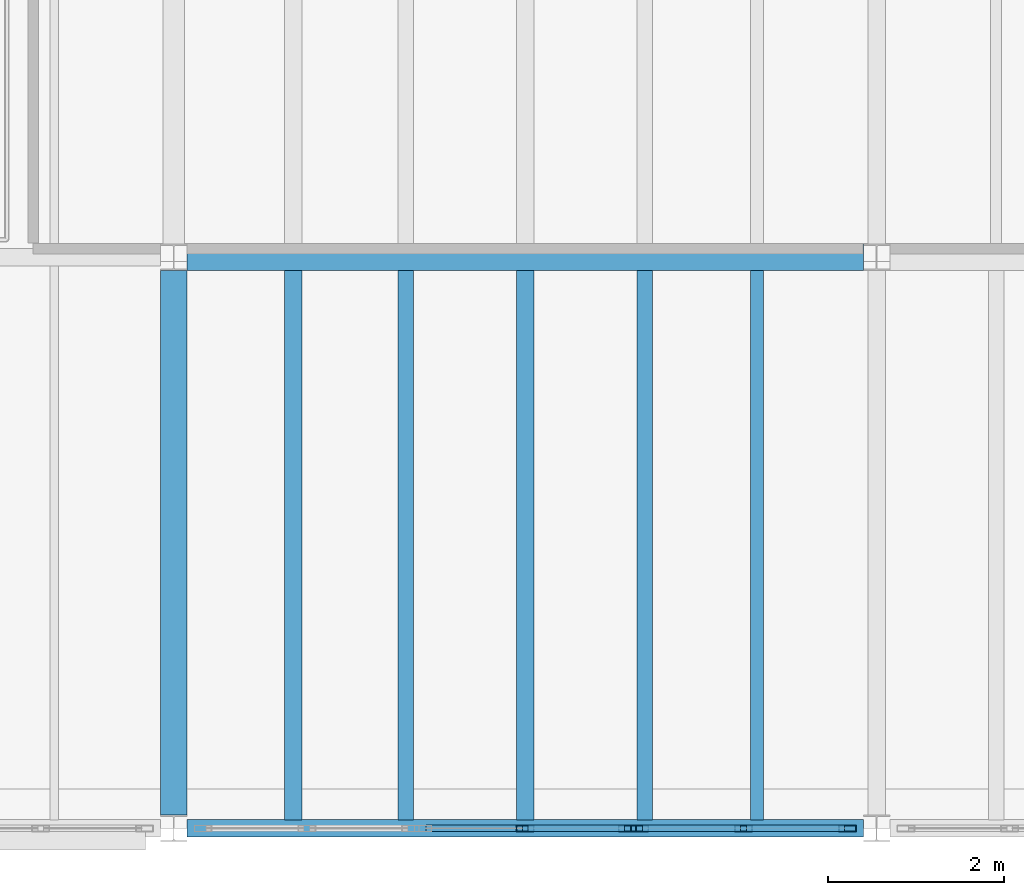
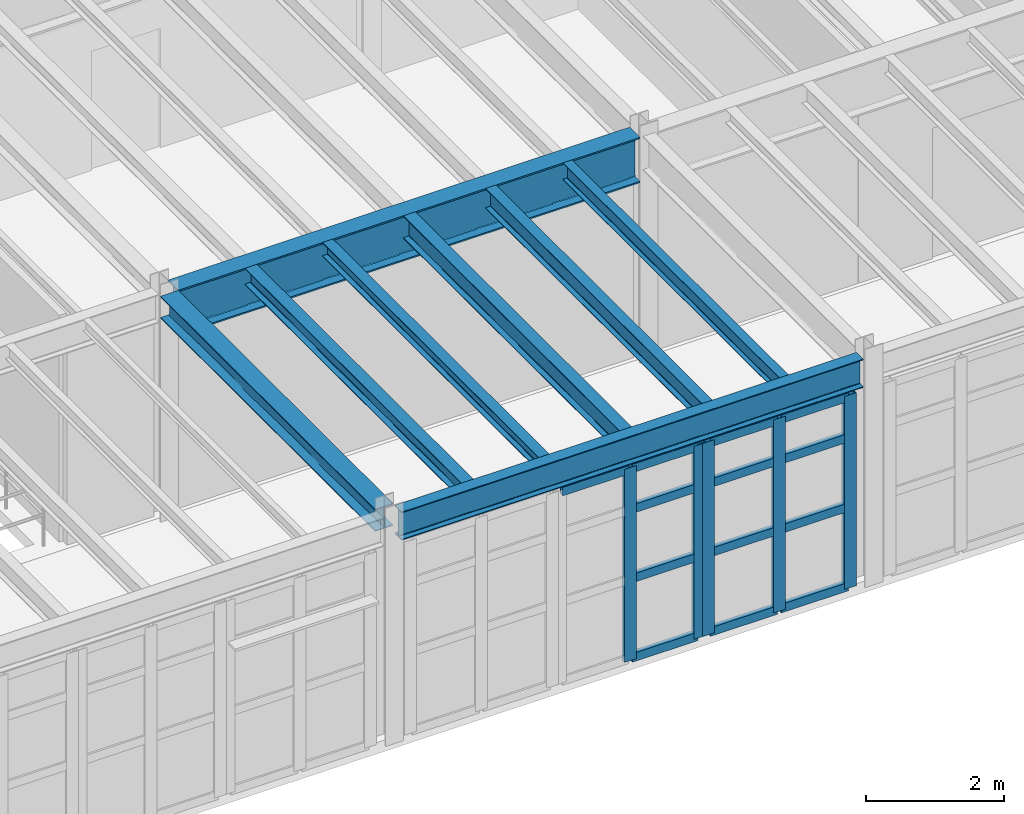
# One storey, part 11 of 78: 18 members, 8 beams, 2 elements without a shape of their own.
"""IFC4 building model written with IfcOpenShell, lengths in metres."""

from ifc_helpers import new_model, si_unit, direction, frame, origin, origin_2d, place, context, subcontext, project, spatial, hollow_rectangle, i_section, extrude, material, material_profile, profile_set, type_object, element, aggregate, save


model = new_model("IFC4")

# Units and contexts
model_context = context("Model", 3, precision=1e-05, world=origin(), true_north=direction((0.0, 1.0)))
body_context = subcontext(model_context, "Body", "Model", "MODEL_VIEW")
ifc_project = project(units=[si_unit("LENGTHUNIT", "METRE"), si_unit("AREAUNIT", "SQUARE_METRE"), si_unit("VOLUMEUNIT", "CUBIC_METRE"), si_unit("PLANEANGLEUNIT", "RADIAN"), si_unit("MASSUNIT", "GRAM", prefix="KILO"), si_unit("THERMODYNAMICTEMPERATUREUNIT", "KELVIN"), si_unit("POWERUNIT", "WATT")], contexts=[model_context])

# Site, building, storey
site_placement = place(None, origin())
site = spatial("IfcSite", under=ifc_project, at=site_placement, CompositionType="ELEMENT")
building_placement = place(site_placement, origin())
building = spatial("IfcBuilding", under=site, at=building_placement, Name="Zhenchuan Central Fire Station", CompositionType="ELEMENT")
storey_placement = place(building_placement, frame((0.0, 0.0, 5.85009765625)))
storey = spatial("IfcBuildingStorey", under=building, at=storey_placement, Name="L02", CompositionType="ELEMENT", Elevation=5.85009765625)

# Beams
ifc_material_1 = material(Name="Steel Q355B", Category="steel")
ifc_material_profile_1 = material_profile(ifc_material_1, i_section(OverallWidth=0.300048828125, OverallDepth=0.389892578125, WebThickness=0.010009765625, FlangeThickness=0.01611328125, FilletRadius=0.02001953125, at=origin_2d()), Name="HM 390x300")
ifc_profile_set_1 = profile_set([ifc_material_profile_1], Name="Steel Q355B")
beam_type_1 = type_object("IfcBeamType", Name="BM-HM390-INT", PredefinedType="BEAM", material=ifc_profile_set_1)
beam_1_placement = place(storey_placement, frame((24.0, 0.14990234375, 3.804931640625), z_axis=(0.0, 1.0, 0.0), x_axis=(-1.0, 0.0, 0.0)))
element("IfcBeam", 1, at=beam_1_placement, inside=storey, type_object=beam_type_1, Name="L03 Girder NS 0294", PredefinedType="BEAM", context=body_context, shape_type="SweptSolid", body=[
    extrude(i_section(OverallWidth=0.300048828125, OverallDepth=0.389892578125, WebThickness=0.010009765625, FlangeThickness=0.01611328125, FilletRadius=0.02001953125, at=origin_2d()), origin(), (0.0, 0.0, 1.0), 6.2001953125),
])
ifc_material_profile_2 = material_profile(ifc_material_1, i_section(OverallWidth=0.199951171875, OverallDepth=0.5, WebThickness=0.010009765625, FlangeThickness=0.01611328125, FilletRadius=0.02001953125, at=origin_2d()), Name="HN 500x200")
ifc_profile_set_2 = profile_set([ifc_material_profile_2], Name="Steel Q355B")
beam_type_2 = type_object("IfcBeamType", Name="BM-HN500", PredefinedType="BEAM", material=ifc_profile_set_2)
beam_2_placement = place(storey_placement, frame((24.14990234375, 0.0, 3.75), z_axis=(1.0, 0.0, 0.0), x_axis=(0.0, 1.0, 0.0)))
element("IfcBeam", 2, at=beam_2_placement, inside=storey, type_object=beam_type_2, Name="L03 Girder EW 0186", PredefinedType="BEAM", context=body_context, shape_type="SweptSolid", body=[
    extrude(i_section(OverallWidth=0.199951171875, OverallDepth=0.5, WebThickness=0.010009765625, FlangeThickness=0.01611328125, FilletRadius=0.02001953125, at=origin_2d()), origin(), (0.0, 0.0, 1.0), 7.7001953125),
])
ifc_material_profile_3 = material_profile(ifc_material_1, i_section(OverallWidth=0.300048828125, OverallDepth=0.800048828125, WebThickness=0.013916015625, FlangeThickness=0.02587890625, FilletRadius=0.02587890625, at=origin_2d()), Name="HN 800x300")
ifc_profile_set_3 = profile_set([ifc_material_profile_3], Name="Steel Q355B")
beam_type_3 = type_object("IfcBeamType", Name="BM-HN800", PredefinedType="BEAM", material=ifc_profile_set_3)
beam_3_placement = place(storey_placement, frame((24.14990234375, 6.5, 3.599853515625), z_axis=(1.0, 0.0, 0.0), x_axis=(0.0, 1.0, 0.0)))
element("IfcBeam", 3, at=beam_3_placement, inside=storey, type_object=beam_type_3, Name="L03 Girder EW 0194", PredefinedType="BEAM", context=body_context, shape_type="SweptSolid", body=[
    extrude(i_section(OverallWidth=0.300048828125, OverallDepth=0.800048828125, WebThickness=0.013916015625, FlangeThickness=0.02587890625, FilletRadius=0.02587890625, at=origin_2d()), origin(), (0.0, 0.0, 1.0), 7.7001953125),
])

# Curtain wall, members
ifc_material_2 = material(Name="Anodised aluminium and low-E glazing", Category="aluminium")
curtain_wall_type_1 = type_object("IfcCurtainWallType", Name="CW-MOD-04", PredefinedType="USERDEFINED", material=ifc_material_2)
curtain_wall_1_placement = place(storey_placement, origin())
curtain_wall_1 = element("IfcCurtainWall", 4, at=curtain_wall_1_placement, inside=storey, type_object=curtain_wall_type_1, Name="L02 Unitised Curtain Wall 032", ObjectType="UNITISED GLAZING", PredefinedType="USERDEFINED")
ifc_material_3 = material(Name="Anodised aluminium EN AW-6063", Category="aluminium")
ifc_material_profile_4 = material_profile(ifc_material_3, hollow_rectangle(XDim=0.074951171875, YDim=0.199951171875, WallThickness=0.0048828125, at=origin_2d()), Name="ALU-M 200x75")
ifc_profile_set_4 = profile_set([ifc_material_profile_4], Name="Anodised aluminium EN AW-6063")
member_type_1 = type_object("IfcMemberType", Name="CW-MUL160", PredefinedType="MULLION", material=ifc_profile_set_4)
member_1_placement = place(storey_placement, frame((28.0, 0.0, -0.004150390625), z_axis=(0.0, 0.0, 1.0), x_axis=(0.0, 1.0, 0.0)))
member_1 = element("IfcMember", 5, at=member_1_placement, type_object=member_type_1, Name="CW-04 mullion 2", PredefinedType="MULLION", context=body_context, shape_type="SweptSolid", body=[
    extrude(hollow_rectangle(XDim=0.074951171875, YDim=0.199951171875, WallThickness=0.0048828125, at=origin_2d()), origin(), (0.0, 0.0, 1.0), 3.404052734375),
])
member_2_placement = place(storey_placement, frame((29.162841796875, 0.0, -0.004150390625), z_axis=(0.0, 0.0, 1.0), x_axis=(0.0, 1.0, 0.0)))
member_2 = element("IfcMember", 6, at=member_2_placement, type_object=member_type_1, Name="CW-04 mullion 3", PredefinedType="MULLION", context=body_context, shape_type="SweptSolid", body=[
    extrude(hollow_rectangle(XDim=0.074951171875, YDim=0.199951171875, WallThickness=0.0048828125, at=origin_2d()), origin(), (0.0, 0.0, 1.0), 3.404052734375),
])

curtain_wall_type_2 = type_object("IfcCurtainWallType", Name="CW-MOD-05", PredefinedType="USERDEFINED", material=ifc_material_2)
curtain_wall_2_placement = place(storey_placement, origin())
curtain_wall_2 = element("IfcCurtainWall", 7, at=curtain_wall_2_placement, inside=storey, type_object=curtain_wall_type_2, Name="L02 Unitised Curtain Wall 033", ObjectType="UNITISED GLAZING", PredefinedType="USERDEFINED")
member_3_placement = place(storey_placement, frame((29.3037109375, 0.0, -0.004150390625), z_axis=(0.0, 0.0, 1.0), x_axis=(0.0, 1.0, 0.0)))
member_3 = element("IfcMember", 8, at=member_3_placement, type_object=member_type_1, Name="CW-05 mullion 1", PredefinedType="MULLION", context=body_context, shape_type="SweptSolid", body=[
    extrude(hollow_rectangle(XDim=0.074951171875, YDim=0.199951171875, WallThickness=0.0048828125, at=origin_2d()), origin(), (0.0, 0.0, 1.0), 3.404052734375),
])
member_4_placement = place(storey_placement, frame((30.485595703125, 0.0, -0.004150390625), z_axis=(0.0, 0.0, 1.0), x_axis=(0.0, 1.0, 0.0)))
member_4 = element("IfcMember", 9, at=member_4_placement, type_object=member_type_1, Name="CW-05 mullion 2", PredefinedType="MULLION", context=body_context, shape_type="SweptSolid", body=[
    extrude(hollow_rectangle(XDim=0.074951171875, YDim=0.199951171875, WallThickness=0.0048828125, at=origin_2d()), origin(), (0.0, 0.0, 1.0), 3.404052734375),
])
member_5_placement = place(storey_placement, frame((31.66748046875, 0.0, -0.004150390625), z_axis=(0.0, 0.0, 1.0), x_axis=(0.0, 1.0, 0.0)))
member_5 = element("IfcMember", 10, at=member_5_placement, type_object=member_type_1, Name="CW-05 mullion 3", PredefinedType="MULLION", context=body_context, shape_type="SweptSolid", body=[
    extrude(hollow_rectangle(XDim=0.074951171875, YDim=0.199951171875, WallThickness=0.0048828125, at=origin_2d()), origin(), (0.0, 0.0, 1.0), 3.404052734375),
])

# Member
ifc_material_profile_5 = material_profile(ifc_material_3, hollow_rectangle(XDim=0.074951171875, YDim=0.14990234375, WallThickness=0.0048828125, at=origin_2d()), Name="ALU-T 150x75")
ifc_profile_set_5 = profile_set([ifc_material_profile_5], Name="Anodised aluminium EN AW-6063")
member_type_2 = type_object("IfcMemberType", Name="CW-TRN130", PredefinedType="NOTDEFINED", material=ifc_profile_set_5)
member_6_placement = place(storey_placement, frame((26.86962890625, 0.0, 3.367431640625), z_axis=(1.0, 0.0, 0.0), x_axis=(0.0, 1.0, 0.0)))
member_6 = element("IfcMember", 11, at=member_6_placement, type_object=member_type_2, Name="CW-04 transom 1.4", ObjectType="TRANSOM", PredefinedType="USERDEFINED", context=body_context, shape_type="SweptSolid", body=[
    extrude(hollow_rectangle(XDim=0.074951171875, YDim=0.14990234375, WallThickness=0.0048828125, at=origin_2d()), origin(), (0.0, 0.0, 1.0), 1.097900390625),
])

member_7_placement = place(storey_placement, frame((28.032470703125, 0.0, 0.0283203125), z_axis=(1.0, 0.0, 0.0), x_axis=(0.0, 1.0, 0.0)))
member_7 = element("IfcMember", 12, at=member_7_placement, type_object=member_type_2, Name="CW-04 transom 2.1", ObjectType="TRANSOM", PredefinedType="USERDEFINED", context=body_context, shape_type="SweptSolid", body=[
    extrude(hollow_rectangle(XDim=0.074951171875, YDim=0.14990234375, WallThickness=0.0048828125, at=origin_2d()), origin(), (0.0, 0.0, 1.0), 1.097900390625),
])

member_8_placement = place(storey_placement, frame((28.032470703125, 0.0, 1.427978515625), z_axis=(1.0, 0.0, 0.0), x_axis=(0.0, 1.0, 0.0)))
member_8 = element("IfcMember", 13, at=member_8_placement, type_object=member_type_2, Name="CW-04 transom 2.2", ObjectType="TRANSOM", PredefinedType="USERDEFINED", context=body_context, shape_type="SweptSolid", body=[
    extrude(hollow_rectangle(XDim=0.074951171875, YDim=0.14990234375, WallThickness=0.0048828125, at=origin_2d()), origin(), (0.0, 0.0, 1.0), 1.097900390625),
])

member_9_placement = place(storey_placement, frame((28.032470703125, 0.0, 2.65185546875), z_axis=(1.0, 0.0, 0.0), x_axis=(0.0, 1.0, 0.0)))
member_9 = element("IfcMember", 14, at=member_9_placement, type_object=member_type_2, Name="CW-04 transom 2.3", ObjectType="TRANSOM", PredefinedType="USERDEFINED", context=body_context, shape_type="SweptSolid", body=[
    extrude(hollow_rectangle(XDim=0.074951171875, YDim=0.14990234375, WallThickness=0.0048828125, at=origin_2d()), origin(), (0.0, 0.0, 1.0), 1.097900390625),
])

member_10_placement = place(storey_placement, frame((28.032470703125, 0.0, 3.367431640625), z_axis=(1.0, 0.0, 0.0), x_axis=(0.0, 1.0, 0.0)))
member_10 = element("IfcMember", 15, at=member_10_placement, type_object=member_type_2, Name="CW-04 transom 2.4", ObjectType="TRANSOM", PredefinedType="USERDEFINED", context=body_context, shape_type="SweptSolid", body=[
    extrude(hollow_rectangle(XDim=0.074951171875, YDim=0.14990234375, WallThickness=0.0048828125, at=origin_2d()), origin(), (0.0, 0.0, 1.0), 1.097900390625),
])

aggregate(curtain_wall_1, [member_1, member_2, member_6, member_7, member_8, member_9, member_10])

member_11_placement = place(storey_placement, frame((29.336181640625, 0.0, 0.0283203125), z_axis=(1.0, 0.0, 0.0), x_axis=(0.0, 1.0, 0.0)))
member_11 = element("IfcMember", 16, at=member_11_placement, type_object=member_type_2, Name="CW-05 transom 1.1", ObjectType="TRANSOM", PredefinedType="USERDEFINED", context=body_context, shape_type="SweptSolid", body=[
    extrude(hollow_rectangle(XDim=0.074951171875, YDim=0.14990234375, WallThickness=0.0048828125, at=origin_2d()), origin(), (0.0, 0.0, 1.0), 1.116943359375),
])

member_12_placement = place(storey_placement, frame((29.336181640625, 0.0, 1.427978515625), z_axis=(1.0, 0.0, 0.0), x_axis=(0.0, 1.0, 0.0)))
member_12 = element("IfcMember", 17, at=member_12_placement, type_object=member_type_2, Name="CW-05 transom 1.2", ObjectType="TRANSOM", PredefinedType="USERDEFINED", context=body_context, shape_type="SweptSolid", body=[
    extrude(hollow_rectangle(XDim=0.074951171875, YDim=0.14990234375, WallThickness=0.0048828125, at=origin_2d()), origin(), (0.0, 0.0, 1.0), 1.116943359375),
])

member_13_placement = place(storey_placement, frame((29.336181640625, 0.0, 2.65185546875), z_axis=(1.0, 0.0, 0.0), x_axis=(0.0, 1.0, 0.0)))
member_13 = element("IfcMember", 18, at=member_13_placement, type_object=member_type_2, Name="CW-05 transom 1.3", ObjectType="TRANSOM", PredefinedType="USERDEFINED", context=body_context, shape_type="SweptSolid", body=[
    extrude(hollow_rectangle(XDim=0.074951171875, YDim=0.14990234375, WallThickness=0.0048828125, at=origin_2d()), origin(), (0.0, 0.0, 1.0), 1.116943359375),
])

member_14_placement = place(storey_placement, frame((29.336181640625, 0.0, 3.367431640625), z_axis=(1.0, 0.0, 0.0), x_axis=(0.0, 1.0, 0.0)))
member_14 = element("IfcMember", 19, at=member_14_placement, type_object=member_type_2, Name="CW-05 transom 1.4", ObjectType="TRANSOM", PredefinedType="USERDEFINED", context=body_context, shape_type="SweptSolid", body=[
    extrude(hollow_rectangle(XDim=0.074951171875, YDim=0.14990234375, WallThickness=0.0048828125, at=origin_2d()), origin(), (0.0, 0.0, 1.0), 1.116943359375),
])

member_15_placement = place(storey_placement, frame((30.51806640625, 0.0, 0.0283203125), z_axis=(1.0, 0.0, 0.0), x_axis=(0.0, 1.0, 0.0)))
member_15 = element("IfcMember", 20, at=member_15_placement, type_object=member_type_2, Name="CW-05 transom 2.1", ObjectType="TRANSOM", PredefinedType="USERDEFINED", context=body_context, shape_type="SweptSolid", body=[
    extrude(hollow_rectangle(XDim=0.074951171875, YDim=0.14990234375, WallThickness=0.0048828125, at=origin_2d()), origin(), (0.0, 0.0, 1.0), 1.116943359375),
])

member_16_placement = place(storey_placement, frame((30.51806640625, 0.0, 1.427978515625), z_axis=(1.0, 0.0, 0.0), x_axis=(0.0, 1.0, 0.0)))
member_16 = element("IfcMember", 21, at=member_16_placement, type_object=member_type_2, Name="CW-05 transom 2.2", ObjectType="TRANSOM", PredefinedType="USERDEFINED", context=body_context, shape_type="SweptSolid", body=[
    extrude(hollow_rectangle(XDim=0.074951171875, YDim=0.14990234375, WallThickness=0.0048828125, at=origin_2d()), origin(), (0.0, 0.0, 1.0), 1.116943359375),
])

member_17_placement = place(storey_placement, frame((30.51806640625, 0.0, 2.65185546875), z_axis=(1.0, 0.0, 0.0), x_axis=(0.0, 1.0, 0.0)))
member_17 = element("IfcMember", 22, at=member_17_placement, type_object=member_type_2, Name="CW-05 transom 2.3", ObjectType="TRANSOM", PredefinedType="USERDEFINED", context=body_context, shape_type="SweptSolid", body=[
    extrude(hollow_rectangle(XDim=0.074951171875, YDim=0.14990234375, WallThickness=0.0048828125, at=origin_2d()), origin(), (0.0, 0.0, 1.0), 1.116943359375),
])

member_18_placement = place(storey_placement, frame((30.51806640625, 0.0, 3.367431640625), z_axis=(1.0, 0.0, 0.0), x_axis=(0.0, 1.0, 0.0)))
member_18 = element("IfcMember", 23, at=member_18_placement, type_object=member_type_2, Name="CW-05 transom 2.4", ObjectType="TRANSOM", PredefinedType="USERDEFINED", context=body_context, shape_type="SweptSolid", body=[
    extrude(hollow_rectangle(XDim=0.074951171875, YDim=0.14990234375, WallThickness=0.0048828125, at=origin_2d()), origin(), (0.0, 0.0, 1.0), 1.116943359375),
])

aggregate(curtain_wall_2, [member_3, member_4, member_5, member_11, member_12, member_13, member_14, member_15, member_16, member_17, member_18])

# Beams
ifc_material_profile_6 = material_profile(ifc_material_1, i_section(OverallWidth=0.175048828125, OverallDepth=0.243896484375, WebThickness=0.007080078125, FlangeThickness=0.010986328125, FilletRadius=0.012939453125, at=origin_2d()), Name="HM 244x175")
ifc_profile_set_6 = profile_set([ifc_material_profile_6], Name="Steel Q355B")
beam_type_4 = type_object("IfcBeamType", Name="JS-HM244", PredefinedType="JOIST", material=ifc_profile_set_6)
beam_4_placement = place(storey_placement, frame((26.639892578125, 0.096923828125, 3.8779296875), z_axis=(0.0, 1.0, 0.0), x_axis=(-1.0, 0.0, 0.0)))
element("IfcBeam", 24, at=beam_4_placement, inside=storey, type_object=beam_type_4, Name="L03 Secondary Joist 0308", PredefinedType="JOIST", context=body_context, shape_type="SweptSolid", body=[
    extrude(i_section(OverallWidth=0.175048828125, OverallDepth=0.243896484375, WebThickness=0.007080078125, FlangeThickness=0.010986328125, FilletRadius=0.012939453125, at=origin_2d()), origin(), (0.0, 0.0, 1.0), 6.256103515625),
])
ifc_material_profile_7 = material_profile(ifc_material_1, i_section(OverallWidth=0.199951171875, OverallDepth=0.2939453125, WebThickness=0.008056640625, FlangeThickness=0.011962890625, FilletRadius=0.01611328125, at=origin_2d()), Name="HM 294x200")
ifc_profile_set_7 = profile_set([ifc_material_profile_7], Name="Steel Q355B")
beam_type_5 = type_object("IfcBeamType", Name="JS-HM294", PredefinedType="JOIST", material=ifc_profile_set_7)
beam_5_placement = place(storey_placement, frame((25.360107421875, 0.096923828125, 3.852783203125), z_axis=(0.0, 1.0, 0.0), x_axis=(-1.0, 0.0, 0.0)))
element("IfcBeam", 25, at=beam_5_placement, inside=storey, type_object=beam_type_5, Name="L03 Secondary Joist 0307", PredefinedType="JOIST", context=body_context, shape_type="SweptSolid", body=[
    extrude(i_section(OverallWidth=0.199951171875, OverallDepth=0.2939453125, WebThickness=0.008056640625, FlangeThickness=0.011962890625, FilletRadius=0.01611328125, at=origin_2d()), origin(), (0.0, 0.0, 1.0), 6.256103515625),
])
ifc_material_profile_8 = material_profile(ifc_material_1, i_section(OverallWidth=0.14990234375, OverallDepth=0.300048828125, WebThickness=0.006591796875, FlangeThickness=0.009033203125, FilletRadius=0.012939453125, at=origin_2d()), Name="HN 300x150")
ifc_profile_set_8 = profile_set([ifc_material_profile_8], Name="Steel Q355B")
beam_type_6 = type_object("IfcBeamType", Name="JS-HN300", PredefinedType="JOIST", material=ifc_profile_set_8)
beam_6_placement = place(storey_placement, frame((30.639892578125, 0.096923828125, 3.849853515625), z_axis=(0.0, 1.0, 0.0), x_axis=(-1.0, 0.0, 0.0)))
element("IfcBeam", 26, at=beam_6_placement, inside=storey, type_object=beam_type_6, Name="L03 Secondary Joist 0311", PredefinedType="JOIST", context=body_context, shape_type="SweptSolid", body=[
    extrude(i_section(OverallWidth=0.14990234375, OverallDepth=0.300048828125, WebThickness=0.006591796875, FlangeThickness=0.009033203125, FilletRadius=0.012939453125, at=origin_2d()), origin(), (0.0, 0.0, 1.0), 6.256103515625),
])
ifc_material_profile_9 = material_profile(ifc_material_1, i_section(OverallWidth=0.175048828125, OverallDepth=0.35009765625, WebThickness=0.007080078125, FlangeThickness=0.010986328125, FilletRadius=0.013916015625, at=origin_2d()), Name="HN 350x175")
ifc_profile_set_9 = profile_set([ifc_material_profile_9], Name="Steel Q355B")
beam_type_7 = type_object("IfcBeamType", Name="JS-HN350", PredefinedType="JOIST", material=ifc_profile_set_9)
beam_7_placement = place(storey_placement, frame((29.360107421875, 0.096923828125, 3.824951171875), z_axis=(0.0, 1.0, 0.0), x_axis=(-1.0, 0.0, 0.0)))
element("IfcBeam", 27, at=beam_7_placement, inside=storey, type_object=beam_type_7, Name="L03 Secondary Joist 0310", PredefinedType="JOIST", context=body_context, shape_type="SweptSolid", body=[
    extrude(i_section(OverallWidth=0.175048828125, OverallDepth=0.35009765625, WebThickness=0.007080078125, FlangeThickness=0.010986328125, FilletRadius=0.013916015625, at=origin_2d()), origin(), (0.0, 0.0, 1.0), 6.256103515625),
])
ifc_material_profile_10 = material_profile(ifc_material_1, i_section(OverallWidth=0.199951171875, OverallDepth=0.39990234375, WebThickness=0.008056640625, FlangeThickness=0.012939453125, FilletRadius=0.01611328125, at=origin_2d()), Name="HN 400x200")
ifc_profile_set_10 = profile_set([ifc_material_profile_10], Name="Steel Q355B")
beam_type_8 = type_object("IfcBeamType", Name="JS-HN400", PredefinedType="JOIST", material=ifc_profile_set_10)
beam_8_placement = place(storey_placement, frame((28.0, 0.096923828125, 3.7998046875), z_axis=(0.0, 1.0, 0.0), x_axis=(-1.0, 0.0, 0.0)))
element("IfcBeam", 28, at=beam_8_placement, inside=storey, type_object=beam_type_8, Name="L03 Secondary Joist 0309", PredefinedType="JOIST", context=body_context, shape_type="SweptSolid", body=[
    extrude(i_section(OverallWidth=0.199951171875, OverallDepth=0.39990234375, WebThickness=0.008056640625, FlangeThickness=0.012939453125, FilletRadius=0.01611328125, at=origin_2d()), origin(), (0.0, 0.0, 1.0), 6.256103515625),
])

save(model, "model.ifc")
